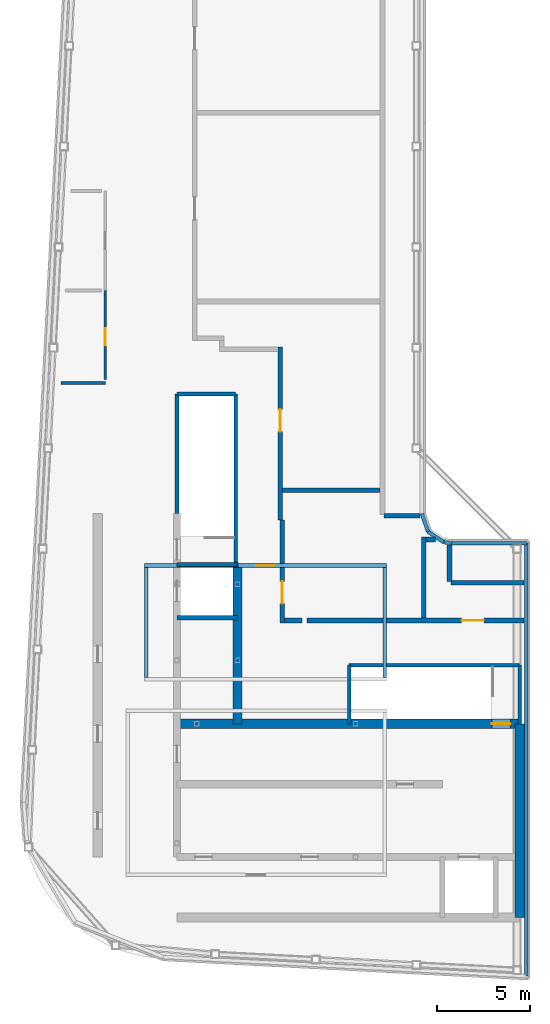
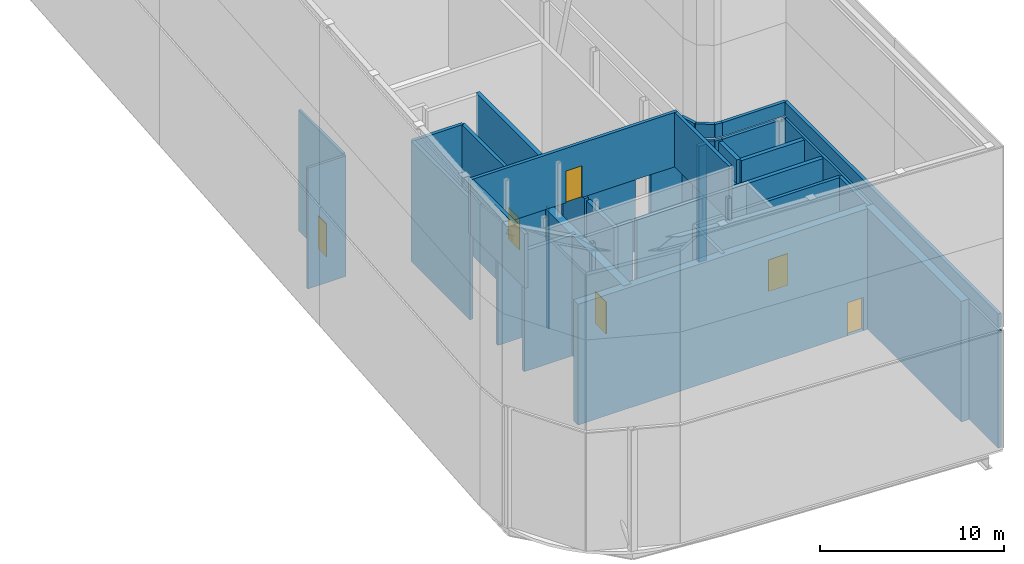
# One storey, part 5 of 7: 39 walls, 6 doors, 6 openings.
"""IFC4 building model written with IfcOpenShell, lengths in metres."""

from ifc_helpers import new_model, si_unit, direction, frame, frame_2d, origin, place, context, subcontext, project, spatial, rectangle, extrude, source, transform, mapped, material, layer, layer_set, type_object, element, fill, save


model = new_model("IFC4")

# Units and contexts
model_context = context("Model", 3, precision=1e-05, world=origin(), true_north=direction((0.0, 1.0)))
body_context = subcontext(model_context, "Body", "Model", "MODEL_VIEW")
ifc_project = project(units=[si_unit("LENGTHUNIT", "METRE"), si_unit("AREAUNIT", "SQUARE_METRE"), si_unit("VOLUMEUNIT", "CUBIC_METRE"), si_unit("PLANEANGLEUNIT", "RADIAN"), si_unit("MASSUNIT", "GRAM", prefix="KILO")], contexts=[model_context])

# Site, building, storey
site_placement = place(None, origin())
site = spatial("IfcSite", under=ifc_project, at=site_placement, CompositionType="ELEMENT")
building_placement = place(site_placement, origin())
building = spatial("IfcBuilding", under=site, at=building_placement, Name="Kheshtan School and Residences Tower", CompositionType="ELEMENT")
storey_placement = place(building_placement, frame((0.0, 0.0, 404.800048828125)))
storey = spatial("IfcBuildingStorey", under=building, at=storey_placement, Name="L94", CompositionType="ELEMENT", Elevation=404.800048828125)

# Wall, opening, door
ifc_material_1 = material(Name="Concrete C50/60", Category="concrete")
ifc_layer_1 = layer(ifc_material_1, 0.5)
ifc_layer_set_1 = layer_set([ifc_layer_1], Name="Core wall 500 Concrete C50/60")
wall_type_1 = type_object("IfcWallType", Name="Core wall 500 Concrete C50/60", PredefinedType="SHEAR", material=ifc_layer_set_1)
wall_1_placement = place(storey_placement, frame((34.75, 36.199951171875, 0.0), z_axis=(0.0, 0.0, 1.0), x_axis=(1.0, 0.0, 0.0)))
wall_1 = element("IfcWall", 1, at=wall_1_placement, inside=storey, type_object=wall_type_1, Name="Core wall CW-FRONT-S", PredefinedType="SHEAR", context=body_context, shape_type="SweptSolid", body=[
    extrude(rectangle(XDim=18.39990234375, YDim=0.5, at=frame_2d((9.199951171875, 0.0))), origin(), (0.0, 0.0, 1.0), 8.0),
])
opening_1_placement = place(wall_1_placement, frame((16.89990234375, 0.0, 0.0)))
opening_1 = element("IfcOpeningElement", 2, at=opening_1_placement, cuts=wall_1, Name="Opening ST1D", PredefinedType="OPENING", context=body_context, shape_type="SweptSolid", body=[
    extrude(rectangle(XDim=1.0, YDim=2.199951171875, at=frame_2d((0.5, 1.10009765625))), frame((0.0, 0.260009765625, 0.0), z_axis=(0.0, -1.0, 0.0), x_axis=(1.0, 0.0, 0.0)), (0.0, 0.0, 1.0), 0.52001953125),
])
ifc_material_2 = material(Name="Steel door leaf, galvanised", Category="steel")
door_type_1 = type_object("IfcDoorType", Name="Stair door 1100 steel 90 min", OperationType="SINGLE_SWING_LEFT", PredefinedType="DOOR", material=ifc_material_2)
shared_shape_1 = source(origin(), body_context, "Body", "SweptSolid", [
    extrude(rectangle(XDim=1.0, YDim=2.199951171875, at=frame_2d((0.5, 1.10009765625))), frame((0.0, 0.02490234375, 0.0), z_axis=(0.0, -1.0, 0.0), x_axis=(1.0, 0.0, 0.0)), (0.0, 0.0, 1.0), 0.050048828125),
])
door_1_placement = place(opening_1_placement, origin())
door_1 = element("IfcDoor", 3, at=door_1_placement, inside=storey, type_object=door_type_1, Name="Stair ST1 door", OperationType="SINGLE_SWING_RIGHT", OverallHeight=2.199951171875, OverallWidth=1.0, PredefinedType="DOOR", context=body_context, shape_type="MappedRepresentation", body=[
    mapped(shared_shape_1, transform((0.0, 0.0, 0.0), x_axis=(1.0, 0.0, 0.0), y_axis=(0.0, 1.0, 0.0), z_axis=(0.0, 0.0, 1.0), scale=1.0)),
])
fill(opening_1, door_1)

# Walls
wall_2_placement = place(storey_placement, frame((38.0, 36.199951171875, 0.0), z_axis=(0.0, 0.0, 1.0), x_axis=(0.0, 1.0, 0.0)))
element("IfcWall", 4, at=wall_2_placement, inside=storey, type_object=wall_type_1, Name="Core wall CW-FRONT-W", PredefinedType="SHEAR", context=body_context, shape_type="SweptSolid", body=[
    extrude(rectangle(XDim=8.550048828125, YDim=0.5, at=frame_2d((4.27490234375, 0.0))), origin(), (0.0, 0.0, 1.0), 8.0),
])
wall_3_placement = place(storey_placement, frame((53.14990234375, 25.800048828125, 0.0), z_axis=(0.0, 0.0, 1.0), x_axis=(0.0, 1.0, 0.0)))
element("IfcWall", 5, at=wall_3_placement, inside=storey, type_object=wall_type_1, Name="Core wall CW-EAST", PredefinedType="SHEAR", context=body_context, shape_type="SweptSolid", body=[
    extrude(rectangle(XDim=10.39990234375, YDim=0.5, at=frame_2d((5.199951171875, 0.0))), origin(), (0.0, 0.0, 1.0), 8.0),
])
ifc_material_3 = material(Name="Concrete C40/50 with ceramic cladding and mineral wool insulation", Category="concrete")
ifc_layer_2 = layer(ifc_material_3, 0.199951171875)
ifc_layer_set_2 = layer_set([ifc_layer_2], Name="Plant enclosure wall 200")
wall_type_2 = type_object("IfcWallType", Name="Plant enclosure wall 200", PredefinedType="SOLIDWALL", material=ifc_layer_set_2)
wall_4_placement = place(storey_placement, frame((47.89990234375, 47.48291015625, 0.0), z_axis=(0.0, 0.0, 1.0), x_axis=(0.321712778194, -0.946837308278, 0.0)))
element("IfcWall", 6, at=wall_4_placement, inside=storey, type_object=wall_type_2, Name="Plant enclosure wall L94 1", PredefinedType="SOLIDWALL", context=body_context, shape_type="SweptSolid", body=[
    extrude(rectangle(XDim=1.013916015625, YDim=0.199951171875, at=frame_2d((0.5068359375, 0.0))), origin(), (0.0, 0.0, 1.0), 7.800048828125),
])
wall_5_placement = place(storey_placement, frame((48.22607421875, 46.52294921875, 0.0), z_axis=(0.0, 0.0, 1.0), x_axis=(0.831461870779, -0.555581818854, 0.0)))
element("IfcWall", 7, at=wall_5_placement, inside=storey, type_object=wall_type_2, Name="Plant enclosure wall L94 2", PredefinedType="SOLIDWALL", context=body_context, shape_type="SweptSolid", body=[
    extrude(rectangle(XDim=1.022216796875, YDim=0.199951171875, at=frame_2d((0.51123046875, 0.0))), origin(), (0.0, 0.0, 1.0), 7.800048828125),
])
wall_6_placement = place(storey_placement, frame((49.075927734375, 45.955078125, 0.0), z_axis=(0.0, 0.0, 1.0), x_axis=(0.991359206476, -0.131175164323, 0.0)))
element("IfcWall", 8, at=wall_6_placement, inside=storey, type_object=wall_type_2, Name="Plant enclosure wall L94 3", PredefinedType="SOLIDWALL", context=body_context, shape_type="SweptSolid", body=[
    extrude(rectangle(XDim=0.420654296875, YDim=0.199951171875, at=frame_2d((0.21044921875, 0.0))), origin(), (0.0, 0.0, 1.0), 7.800048828125),
])
wall_7_placement = place(storey_placement, frame((49.492919921875, 45.89990234375, 0.0), z_axis=(0.0, 0.0, 1.0), x_axis=(1.0, 0.0, 0.0)))
element("IfcWall", 9, at=wall_7_placement, inside=storey, type_object=wall_type_2, Name="Plant enclosure wall L94 4", PredefinedType="SOLIDWALL", context=body_context, shape_type="SweptSolid", body=[
    extrude(rectangle(XDim=4.007080078125, YDim=0.199951171875, at=frame_2d((2.00341796875, 0.0))), origin(), (0.0, 0.0, 1.0), 7.800048828125),
])
wall_8_placement = place(storey_placement, frame((53.5, 45.89990234375, 0.0), z_axis=(0.0, 0.0, 1.0), x_axis=(0.0, -1.0, 0.0)))
element("IfcWall", 10, at=wall_8_placement, inside=storey, type_object=wall_type_2, Name="Plant enclosure wall L94 5", PredefinedType="SOLIDWALL", context=body_context, shape_type="SweptSolid", body=[
    extrude(rectangle(XDim=23.247802734375, YDim=0.199951171875, at=frame_2d((11.6240234375, 0.0))), origin(), (0.0, 0.0, 1.0), 7.800048828125),
])

# Wall, opening, door
wall_9_placement = place(storey_placement, frame((33.0, 44.699951171875, 8.0), z_axis=(0.0, 0.0, 1.0), x_axis=(1.0, 0.0, 0.0)))
wall_9 = element("IfcWall", 11, at=wall_9_placement, inside=storey, type_object=wall_type_2, Name="Rooftop plant room 2 wall N", PredefinedType="SOLIDWALL", context=body_context, shape_type="SweptSolid", body=[
    extrude(rectangle(XDim=13.0, YDim=0.199951171875, at=frame_2d((6.5, 0.0))), origin(), (0.0, 0.0, 1.0), 3.599853515625),
])
opening_2_placement = place(wall_9_placement, frame((6.0, 0.0, 0.0)))
opening_2 = element("IfcOpeningElement", 12, at=opening_2_placement, cuts=wall_9, Name="Opening PD", PredefinedType="OPENING", context=body_context, shape_type="SweptSolid", body=[
    extrude(rectangle(XDim=1.0, YDim=2.10009765625, at=frame_2d((0.5, 1.050048828125))), frame((0.0, 0.10986328125, 0.0), z_axis=(0.0, -1.0, 0.0), x_axis=(1.0, 0.0, 0.0)), (0.0, 0.0, 1.0), 0.219970703125),
])
ifc_material_4 = material(Name="Galvanised steel door leaf, louvred", Category="steel")
door_type_2 = type_object("IfcDoorType", Name="Plant room door 1000", OperationType="SINGLE_SWING_LEFT", PredefinedType="DOOR", material=ifc_material_4)
shared_shape_2 = source(origin(), body_context, "Body", "SweptSolid", [
    extrude(rectangle(XDim=1.0, YDim=2.10009765625, at=frame_2d((0.5, 1.050048828125))), frame((0.0, 0.02490234375, 0.0), z_axis=(0.0, -1.0, 0.0), x_axis=(1.0, 0.0, 0.0)), (0.0, 0.0, 1.0), 0.050048828125),
])
door_2_placement = place(opening_2_placement, origin())
door_2 = element("IfcDoor", 13, at=door_2_placement, inside=storey, type_object=door_type_2, Name="Rooftop plant room 2 door", OperationType="SINGLE_SWING_RIGHT", OverallHeight=2.10009765625, OverallWidth=1.0, PredefinedType="DOOR", context=body_context, shape_type="MappedRepresentation", body=[
    mapped(shared_shape_2, transform((0.0, 0.0, 0.0), x_axis=(1.0, 0.0, 0.0), y_axis=(0.0, 1.0, 0.0), z_axis=(0.0, 0.0, 1.0), scale=1.0)),
])
fill(opening_2, door_2)

# Walls
for number, where, z_axis, x_axis, name in (
    (14, (33.10009765625, 38.699951171875, 8.0), (0.0, 0.0, 1.0), (0.0, 1.0, 0.0), "Rooftop plant room 2 wall W"),
    (15, (45.89990234375, 38.699951171875, 8.0), (0.0, 0.0, 1.0), (0.0, 1.0, 0.0), "Rooftop plant room 2 wall E"),
):
    element("IfcWall", number, at=place(storey_placement, frame(where, z_axis=z_axis, x_axis=x_axis)), inside=storey, type_object=wall_type_2, Name=name, PredefinedType="SOLIDWALL", context=body_context, shape_type="SweptSolid", body=[
        extrude(rectangle(XDim=5.900146484375, YDim=0.199951171875, at=frame_2d((2.9501953125, 0.0))), origin(), (0.0, 0.0, 1.0), 3.599853515625),
    ])

# Wall, opening, door
ifc_material_5 = material(Name="Fire-board and steel stud wall with mineral wool", Category="steel")
ifc_layer_3 = layer(ifc_material_5, 0.25)
ifc_layer_set_3 = layer_set([ifc_layer_3], Name="Plant room wall 250")
wall_type_3 = type_object("IfcWallType", Name="Plant room wall 250", PredefinedType="PARTITIONING", material=ifc_layer_set_3)
wall_10_placement = place(storey_placement, frame((40.300048828125, 47.14990234375, 0.0), z_axis=(0.0, 0.0, 1.0), x_axis=(0.0, 1.0, 0.0)))
wall_10 = element("IfcWall", 16, at=wall_10_placement, inside=storey, type_object=wall_type_3, Name="Partition L94-010", PredefinedType="PARTITIONING", context=body_context, shape_type="SweptSolid", body=[
    extrude(rectangle(XDim=9.28515625, YDim=0.25, at=frame_2d((4.642578125, 0.0))), origin(), (0.0, 0.0, 1.0), 7.699951171875),
])
opening_3_placement = place(wall_10_placement, frame((4.736083984375, 0.0, 0.0)))
opening_3 = element("IfcOpeningElement", 17, at=opening_3_placement, cuts=wall_10, Name="Opening D94-001", PredefinedType="OPENING", context=body_context, shape_type="SweptSolid", body=[
    extrude(rectangle(XDim=1.199951171875, YDim=2.10009765625, at=frame_2d((0.60009765625, 1.050048828125))), frame((0.0, 0.135009765625, 0.0), z_axis=(0.0, -1.0, 0.0), x_axis=(1.0, 0.0, 0.0)), (0.0, 0.0, 1.0), 0.27001953125),
])
ifc_material_6 = material(Name="Steel-framed fire-resisting door leaf", Category="steel")
door_type_3 = type_object("IfcDoorType", Name="Fire door FD120 1200 x 2100", OperationType="SINGLE_SWING_LEFT", PredefinedType="DOOR", material=ifc_material_6)
shared_shape_3 = source(origin(), body_context, "Body", "SweptSolid", [
    extrude(rectangle(XDim=1.199951171875, YDim=2.10009765625, at=frame_2d((0.60009765625, 1.050048828125))), frame((0.0, 0.02490234375, 0.0), z_axis=(0.0, -1.0, 0.0), x_axis=(1.0, 0.0, 0.0)), (0.0, 0.0, 1.0), 0.050048828125),
])
door_3_placement = place(opening_3_placement, origin())
door_3 = element("IfcDoor", 18, at=door_3_placement, inside=storey, type_object=door_type_3, Name="Door D94-001", OperationType="SINGLE_SWING_RIGHT", OverallHeight=2.10009765625, OverallWidth=1.199951171875, PredefinedType="DOOR", context=body_context, shape_type="MappedRepresentation", body=[
    mapped(shared_shape_3, transform((0.0, 0.0, 0.0), x_axis=(1.0, 0.0, 0.0), y_axis=(0.0, 1.0, 0.0), z_axis=(0.0, 0.0, 1.0), scale=1.0)),
])
fill(opening_3, door_3)

wall_11_placement = place(storey_placement, frame((40.39990234375, 41.623046875, 0.0), z_axis=(0.0, 0.0, 1.0), x_axis=(0.0, 1.0, 0.0)))
wall_11 = element("IfcWall", 19, at=wall_11_placement, inside=storey, type_object=wall_type_3, Name="Partition L94-011", PredefinedType="PARTITIONING", context=body_context, shape_type="SweptSolid", body=[
    extrude(rectangle(XDim=2.97802734375, YDim=0.25, at=frame_2d((1.489013671875, 0.0))), origin(), (0.0, 0.0, 1.0), 7.699951171875),
])
opening_4_placement = place(wall_11_placement, frame((1.027099609375, 0.0, 0.0)))
opening_4 = element("IfcOpeningElement", 20, at=opening_4_placement, cuts=wall_11, Name="Opening D94-002", PredefinedType="OPENING", context=body_context, shape_type="SweptSolid", body=[
    extrude(rectangle(XDim=1.199951171875, YDim=2.10009765625, at=frame_2d((0.60009765625, 1.050048828125))), frame((0.0, 0.135009765625, 0.0), z_axis=(0.0, -1.0, 0.0), x_axis=(1.0, 0.0, 0.0)), (0.0, 0.0, 1.0), 0.27001953125),
])
door_4_placement = place(opening_4_placement, origin())
door_4 = element("IfcDoor", 21, at=door_4_placement, inside=storey, type_object=door_type_3, Name="Door D94-002", OperationType="SINGLE_SWING_RIGHT", OverallHeight=2.10009765625, OverallWidth=1.199951171875, PredefinedType="DOOR", context=body_context, shape_type="MappedRepresentation", body=[
    mapped(shared_shape_3, transform((0.0, 0.0, 0.0), x_axis=(1.0, 0.0, 0.0), y_axis=(0.0, 1.0, 0.0), z_axis=(0.0, 0.0, 1.0), scale=1.0)),
])
fill(opening_4, door_4)

# Walls
wall_12_placement = place(storey_placement, frame((40.39990234375, 44.799072265625, 0.0), z_axis=(0.0, 0.0, 1.0), x_axis=(0.0, 1.0, 0.0)))
element("IfcWall", 22, at=wall_12_placement, inside=storey, type_object=wall_type_3, Name="Partition L94-012", PredefinedType="PARTITIONING", context=body_context, shape_type="SweptSolid", body=[
    extrude(rectangle(XDim=2.350830078125, YDim=0.25, at=frame_2d((1.17529296875, 0.0))), origin(), (0.0, 0.0, 1.0), 7.699951171875),
])
wall_13_placement = place(storey_placement, frame((40.425048828125, 48.736083984375, 0.0), z_axis=(0.0, 0.0, 1.0), x_axis=(1.0, 0.0, 0.0)))
element("IfcWall", 23, at=wall_13_placement, inside=storey, type_object=wall_type_3, Name="Partition L94-013", PredefinedType="PARTITIONING", context=body_context, shape_type="SweptSolid", body=[
    extrude(rectangle(XDim=5.22998046875, YDim=0.25, at=frame_2d((2.614990234375, 0.0))), origin(), (0.0, 0.0, 1.0), 7.699951171875),
])
wall_14_placement = place(storey_placement, frame((40.52490234375, 41.748046875, 0.0), z_axis=(0.0, 0.0, 1.0), x_axis=(1.0, 0.0, 0.0)))
element("IfcWall", 24, at=wall_14_placement, inside=storey, type_object=wall_type_3, Name="Partition L94-014", PredefinedType="PARTITIONING", context=body_context, shape_type="SweptSolid", body=[
    extrude(rectangle(XDim=0.940185546875, YDim=0.25, at=frame_2d((0.47021484375, 0.0))), origin(), (0.0, 0.0, 1.0), 7.699951171875),
])
wall_15_placement = place(storey_placement, frame((41.715087890625, 41.74609375, 0.0), z_axis=(0.0, 0.0, 1.0), x_axis=(0.999999971438, 0.000239005729, 0.0)))
element("IfcWall", 25, at=wall_15_placement, inside=storey, type_object=wall_type_3, Name="Partition L94-015", PredefinedType="PARTITIONING", context=body_context, shape_type="SweptSolid", body=[
    extrude(rectangle(XDim=4.0859375, YDim=0.25, at=frame_2d((2.04296875, 0.0))), origin(), (0.0, 0.0, 1.0), 7.699951171875),
])
wall_16_placement = place(storey_placement, frame((45.85107421875, 47.3798828125, 0.0), z_axis=(0.0, 0.0, 1.0), x_axis=(1.0, 0.0, 0.0)))
element("IfcWall", 26, at=wall_16_placement, inside=storey, type_object=wall_type_3, Name="Partition L94-017", PredefinedType="PARTITIONING", context=body_context, shape_type="SweptSolid", body=[
    extrude(rectangle(XDim=1.949951171875, YDim=0.25, at=frame_2d((0.97509765625, 0.0))), origin(), (0.0, 0.0, 1.0), 7.699951171875),
])

# Wall, opening, door
wall_17_placement = place(storey_placement, frame((45.9990234375, 41.748046875, 0.0), z_axis=(0.0, 0.0, 1.0), x_axis=(1.0, 0.0, 0.0)))
wall_17 = element("IfcWall", 27, at=wall_17_placement, inside=storey, type_object=wall_type_3, Name="Partition L94-018", PredefinedType="PARTITIONING", context=body_context, shape_type="SweptSolid", body=[
    extrude(rectangle(XDim=7.380859375, YDim=0.25, at=frame_2d((3.6904296875, 0.0))), origin(), (0.0, 0.0, 1.0), 7.699951171875),
])
opening_5_placement = place(wall_17_placement, frame((4.031005859375, 0.0, 0.0)))
opening_5 = element("IfcOpeningElement", 28, at=opening_5_placement, cuts=wall_17, Name="Opening D94-003", PredefinedType="OPENING", context=body_context, shape_type="SweptSolid", body=[
    extrude(rectangle(XDim=1.199951171875, YDim=2.10009765625, at=frame_2d((0.60009765625, 1.050048828125))), frame((0.0, 0.135009765625, 0.0), z_axis=(0.0, -1.0, 0.0), x_axis=(1.0, 0.0, 0.0)), (0.0, 0.0, 1.0), 0.27001953125),
])
door_5_placement = place(opening_5_placement, origin())
door_5 = element("IfcDoor", 29, at=door_5_placement, inside=storey, type_object=door_type_3, Name="Door D94-003", OperationType="SINGLE_SWING_RIGHT", OverallHeight=2.10009765625, OverallWidth=1.199951171875, PredefinedType="DOOR", context=body_context, shape_type="MappedRepresentation", body=[
    mapped(shared_shape_3, transform((0.0, 0.0, 0.0), x_axis=(1.0, 0.0, 0.0), y_axis=(0.0, 1.0, 0.0), z_axis=(0.0, 0.0, 1.0), scale=1.0)),
])
fill(opening_5, door_5)

# Walls
wall_18_placement = place(storey_placement, frame((47.989990234375, 41.875, 0.0), z_axis=(0.0, 0.0, 1.0), x_axis=(0.0, 1.0, 0.0)))
element("IfcWall", 30, at=wall_18_placement, inside=storey, type_object=wall_type_3, Name="Partition L94-019", PredefinedType="PARTITIONING", context=body_context, shape_type="SweptSolid", body=[
    extrude(rectangle(XDim=4.35009765625, YDim=0.25, at=frame_2d((2.175048828125, 0.0))), origin(), (0.0, 0.0, 1.0), 7.699951171875),
])
wall_19_placement = place(storey_placement, frame((48.114990234375, 46.10009765625, 0.0), z_axis=(0.0, 0.0, 1.0), x_axis=(1.0, 0.0, 0.0)))
element("IfcWall", 31, at=wall_19_placement, inside=storey, type_object=wall_type_3, Name="Partition L94-020", PredefinedType="PARTITIONING", context=body_context, shape_type="SweptSolid", body=[
    extrude(rectangle(XDim=0.510986328125, YDim=0.25, at=frame_2d((0.25537109375, 0.0))), origin(), (0.0, 0.0, 1.0), 7.699951171875),
])
wall_20_placement = place(storey_placement, frame((49.3798828125, 43.85107421875, 0.0), z_axis=(0.0, 0.0, 1.0), x_axis=(0.0, 1.0, 0.0)))
element("IfcWall", 32, at=wall_20_placement, inside=storey, type_object=wall_type_3, Name="Partition L94-021", PredefinedType="PARTITIONING", context=body_context, shape_type="SweptSolid", body=[
    extrude(rectangle(XDim=1.949951171875, YDim=0.25, at=frame_2d((0.97509765625, 0.0))), origin(), (0.0, 0.0, 1.0), 7.699951171875),
])
wall_21_placement = place(storey_placement, frame((49.450927734375, 43.780029296875, 0.0), z_axis=(0.0, 0.0, 1.0), x_axis=(1.0, 0.0, 0.0)))
element("IfcWall", 33, at=wall_21_placement, inside=storey, type_object=wall_type_3, Name="Partition L94-022", PredefinedType="PARTITIONING", context=body_context, shape_type="SweptSolid", body=[
    extrude(rectangle(XDim=3.928955078125, YDim=0.25, at=frame_2d((1.96435546875, 0.0))), origin(), (0.0, 0.0, 1.0), 7.699951171875),
])
ifc_layer_4 = layer(ifc_material_3, 0.199951171875)
ifc_layer_set_4 = layer_set([ifc_layer_4], Name="Roof parapet 200")
wall_type_4 = type_object("IfcWallType", Name="Roof parapet 200", PredefinedType="PARAPET", material=ifc_layer_set_4)
wall_22_placement = place(storey_placement, frame((47.89990234375, 47.48291015625, 8.0), z_axis=(0.0, 0.0, 1.0), x_axis=(0.321712778194, -0.946837308278, 0.0)))
element("IfcWall", 34, at=wall_22_placement, inside=storey, type_object=wall_type_4, Name="Roof parapet 1", PredefinedType="PARAPET", context=body_context, shape_type="SweptSolid", body=[
    extrude(rectangle(XDim=1.013916015625, YDim=0.199951171875, at=frame_2d((0.5068359375, 0.0))), origin(), (0.0, 0.0, 1.0), 0.89990234375),
])
wall_23_placement = place(storey_placement, frame((48.22607421875, 46.52294921875, 8.0), z_axis=(0.0, 0.0, 1.0), x_axis=(0.831461870779, -0.555581818854, 0.0)))
element("IfcWall", 35, at=wall_23_placement, inside=storey, type_object=wall_type_4, Name="Roof parapet 2", PredefinedType="PARAPET", context=body_context, shape_type="SweptSolid", body=[
    extrude(rectangle(XDim=1.022216796875, YDim=0.199951171875, at=frame_2d((0.51123046875, 0.0))), origin(), (0.0, 0.0, 1.0), 0.89990234375),
])
wall_24_placement = place(storey_placement, frame((49.075927734375, 45.955078125, 8.0), z_axis=(0.0, 0.0, 1.0), x_axis=(0.991359206476, -0.131175164323, 0.0)))
element("IfcWall", 36, at=wall_24_placement, inside=storey, type_object=wall_type_4, Name="Roof parapet 3", PredefinedType="PARAPET", context=body_context, shape_type="SweptSolid", body=[
    extrude(rectangle(XDim=0.420654296875, YDim=0.199951171875, at=frame_2d((0.21044921875, 0.0))), origin(), (0.0, 0.0, 1.0), 0.89990234375),
])
wall_25_placement = place(storey_placement, frame((49.492919921875, 45.89990234375, 8.0), z_axis=(0.0, 0.0, 1.0), x_axis=(1.0, 0.0, 0.0)))
element("IfcWall", 37, at=wall_25_placement, inside=storey, type_object=wall_type_4, Name="Roof parapet 4", PredefinedType="PARAPET", context=body_context, shape_type="SweptSolid", body=[
    extrude(rectangle(XDim=4.007080078125, YDim=0.199951171875, at=frame_2d((2.00341796875, 0.0))), origin(), (0.0, 0.0, 1.0), 0.89990234375),
])
wall_26_placement = place(storey_placement, frame((53.5, 45.89990234375, 8.0), z_axis=(0.0, 0.0, 1.0), x_axis=(0.0, -1.0, 0.0)))
element("IfcWall", 38, at=wall_26_placement, inside=storey, type_object=wall_type_4, Name="Roof parapet 5", PredefinedType="PARAPET", context=body_context, shape_type="SweptSolid", body=[
    extrude(rectangle(XDim=23.247802734375, YDim=0.199951171875, at=frame_2d((11.6240234375, 0.0))), origin(), (0.0, 0.0, 1.0), 0.89990234375),
])
ifc_material_7 = material(Name="Fire-board shaft wall system")
ifc_layer_5 = layer(ifc_material_7, 0.14990234375)
ifc_layer_set_5 = layer_set([ifc_layer_5], Name="Service room wall 150")
wall_type_5 = type_object("IfcWallType", Name="Service room wall 150", PredefinedType="PARTITIONING", material=ifc_layer_set_5)
wall_27_placement = place(storey_placement, frame((28.508056640625, 54.5, 0.0), z_axis=(0.0, 0.0, 1.0), x_axis=(1.0, 0.0, 0.0)))
element("IfcWall", 39, at=wall_27_placement, inside=storey, type_object=wall_type_5, Name="Service room wall", PredefinedType="PARTITIONING", context=body_context, shape_type="SweptSolid", body=[
    extrude(rectangle(XDim=2.391845703125, YDim=0.14990234375, at=frame_2d((1.19580078125, 0.0))), origin(), (0.0, 0.0, 1.0), 8.0),
])

# Wall, opening, door
wall_28_placement = place(storey_placement, frame((30.89990234375, 54.695068359375, 0.0), z_axis=(0.0, 0.0, 1.0), x_axis=(0.0, 1.0, 0.0)))
wall_28 = element("IfcWall", 40, at=wall_28_placement, inside=storey, type_object=wall_type_5, Name="Service room wall", PredefinedType="PARTITIONING", context=body_context, shape_type="SweptSolid", body=[
    extrude(rectangle(XDim=4.77099609375, YDim=0.14990234375, at=frame_2d((2.385498046875, 0.0))), origin(), (0.0, 0.0, 1.0), 8.0),
])
opening_6_placement = place(wall_28_placement, frame((1.837890625, 0.0, 0.0)))
opening_6 = element("IfcOpeningElement", 41, at=opening_6_placement, cuts=wall_28, Name="Opening SR90", PredefinedType="OPENING", context=body_context, shape_type="SweptSolid", body=[
    extrude(rectangle(XDim=0.89990234375, YDim=2.199951171875, at=frame_2d((0.449951171875, 1.10009765625))), frame((0.0, 0.0849609375, 0.0), z_axis=(0.0, -1.0, 0.0), x_axis=(1.0, 0.0, 0.0)), (0.0, 0.0, 1.0), 0.169921875),
])
door_type_4 = type_object("IfcDoorType", Name="Service room door 900 steel 90 min", OperationType="SINGLE_SWING_LEFT", PredefinedType="DOOR", material=ifc_material_2)
shared_shape_4 = source(origin(), body_context, "Body", "SweptSolid", [
    extrude(rectangle(XDim=0.89990234375, YDim=2.199951171875, at=frame_2d((0.449951171875, 1.10009765625))), frame((0.0, 0.02490234375, 0.0), z_axis=(0.0, -1.0, 0.0), x_axis=(1.0, 0.0, 0.0)), (0.0, 0.0, 1.0), 0.050048828125),
])
door_6_placement = place(opening_6_placement, origin())
door_6 = element("IfcDoor", 42, at=door_6_placement, inside=storey, type_object=door_type_4, Name="Service room door", OperationType="SINGLE_SWING_RIGHT", OverallHeight=2.199951171875, OverallWidth=0.89990234375, PredefinedType="DOOR", context=body_context, shape_type="MappedRepresentation", body=[
    mapped(shared_shape_4, transform((0.0, 0.0, 0.0), x_axis=(1.0, 0.0, 0.0), y_axis=(0.0, 1.0, 0.0), z_axis=(0.0, 0.0, 1.0), scale=1.0)),
])
fill(opening_6, door_6)

# Walls
ifc_layer_6 = layer(ifc_material_7, 0.25)
ifc_layer_set_6 = layer_set([ifc_layer_6], Name="Shaft lining wall 250")
wall_type_6 = type_object("IfcWallType", Name="Shaft lining wall 250", PredefinedType="PARTITIONING", material=ifc_layer_set_6)
wall_29_placement = place(storey_placement, frame((34.75, 41.89990234375, 0.0), z_axis=(0.0, 0.0, 1.0), x_axis=(1.0, 0.0, 0.0)))
element("IfcWall", 43, at=wall_29_placement, inside=storey, type_object=wall_type_6, Name="Shaft lining wall", PredefinedType="PARTITIONING", context=body_context, shape_type="SweptSolid", body=[
    extrude(rectangle(XDim=3.25, YDim=0.25, at=frame_2d((1.625, 0.0))), origin(), (0.0, 0.0, 1.0), 8.0),
])
wall_30_placement = place(storey_placement, frame((37.89990234375, 44.75, 0.0), z_axis=(0.0, 0.0, 1.0), x_axis=(1.0, 0.0, 0.0)))
element("IfcWall", 44, at=wall_30_placement, inside=storey, type_object=wall_type_6, Name="Shaft lining wall", PredefinedType="PARTITIONING", context=body_context, shape_type="SweptSolid", body=[
    extrude(rectangle(XDim=0.10009765625, YDim=0.25, at=frame_2d((0.050048828125, 0.0))), origin(), (0.0, 0.0, 1.0), 8.0),
])
ifc_material_8 = material(Name="Concrete C40/50", Category="concrete")
ifc_layer_7 = layer(ifc_material_8, 0.199951171875)
ifc_layer_set_7 = layer_set([ifc_layer_7], Name="Stair enclosure wall 200 Concrete C40/50")
wall_type_7 = type_object("IfcWallType", Name="Stair enclosure wall 200 Concrete C40/50", PredefinedType="SHEAR", material=ifc_layer_set_7)
wall_31_placement = place(storey_placement, frame((43.989990234375, 39.35009765625, 0.0), z_axis=(0.0, 0.0, 1.0), x_axis=(1.0, 0.0, 0.0)))
element("IfcWall", 45, at=wall_31_placement, inside=storey, type_object=wall_type_7, Name="Stair enclosure wall ST1", PredefinedType="SHEAR", context=body_context, shape_type="SweptSolid", body=[
    extrude(rectangle(XDim=9.159912109375, YDim=0.199951171875, at=frame_2d((4.580078125, 0.0))), origin(), (0.0, 0.0, 1.0), 8.0),
])
for number, where, z_axis, x_axis, name in (
    (46, (43.989990234375, 36.199951171875, 0.0), (0.0, 0.0, 1.0), (0.0, 1.0, 0.0), "Stair enclosure wall ST1"),
    (47, (53.14990234375, 36.199951171875, 0.0), (0.0, 0.0, 1.0), (0.0, 1.0, 0.0), "Stair enclosure wall ST1"),
):
    element("IfcWall", number, at=place(storey_placement, frame(where, z_axis=z_axis, x_axis=x_axis)), inside=storey, type_object=wall_type_7, Name=name, PredefinedType="SHEAR", context=body_context, shape_type="SweptSolid", body=[
        extrude(rectangle(XDim=3.150146484375, YDim=0.199951171875, at=frame_2d((1.5751953125, 0.0))), origin(), (0.0, 0.0, 1.0), 8.0),
    ])
for number, where, z_axis, x_axis, name in (
    (48, (34.75, 44.75, 0.0), (0.0, 0.0, 1.0), (1.0, 0.0, 0.0), "Stair enclosure wall ST2"),
    (49, (34.75, 53.909912109375, 0.0), (0.0, 0.0, 1.0), (1.0, 0.0, 0.0), "Stair enclosure wall ST2"),
):
    element("IfcWall", number, at=place(storey_placement, frame(where, z_axis=z_axis, x_axis=x_axis)), inside=storey, type_object=wall_type_7, Name=name, PredefinedType="SHEAR", context=body_context, shape_type="SweptSolid", body=[
        extrude(rectangle(XDim=3.14990234375, YDim=0.199951171875, at=frame_2d((1.574951171875, 0.0))), origin(), (0.0, 0.0, 1.0), 8.0),
    ])
wall_32_placement = place(storey_placement, frame((34.75, 47.5, 0.0), z_axis=(0.0, 0.0, 1.0), x_axis=(0.0, 1.0, 0.0)))
element("IfcWall", 50, at=wall_32_placement, inside=storey, type_object=wall_type_7, Name="Stair enclosure wall ST2", PredefinedType="SHEAR", context=body_context, shape_type="SweptSolid", body=[
    extrude(rectangle(XDim=6.409912109375, YDim=0.199951171875, at=frame_2d((3.205078125, 0.0))), origin(), (0.0, 0.0, 1.0), 8.0),
])
wall_33_placement = place(storey_placement, frame((37.89990234375, 44.75, 0.0), z_axis=(0.0, 0.0, 1.0), x_axis=(0.0, 1.0, 0.0)))
element("IfcWall", 51, at=wall_33_placement, inside=storey, type_object=wall_type_7, Name="Stair enclosure wall ST2", PredefinedType="SHEAR", context=body_context, shape_type="SweptSolid", body=[
    extrude(rectangle(XDim=9.159912109375, YDim=0.199951171875, at=frame_2d((4.580078125, 0.0))), origin(), (0.0, 0.0, 1.0), 8.0),
])

save(model, "model.ifc")
